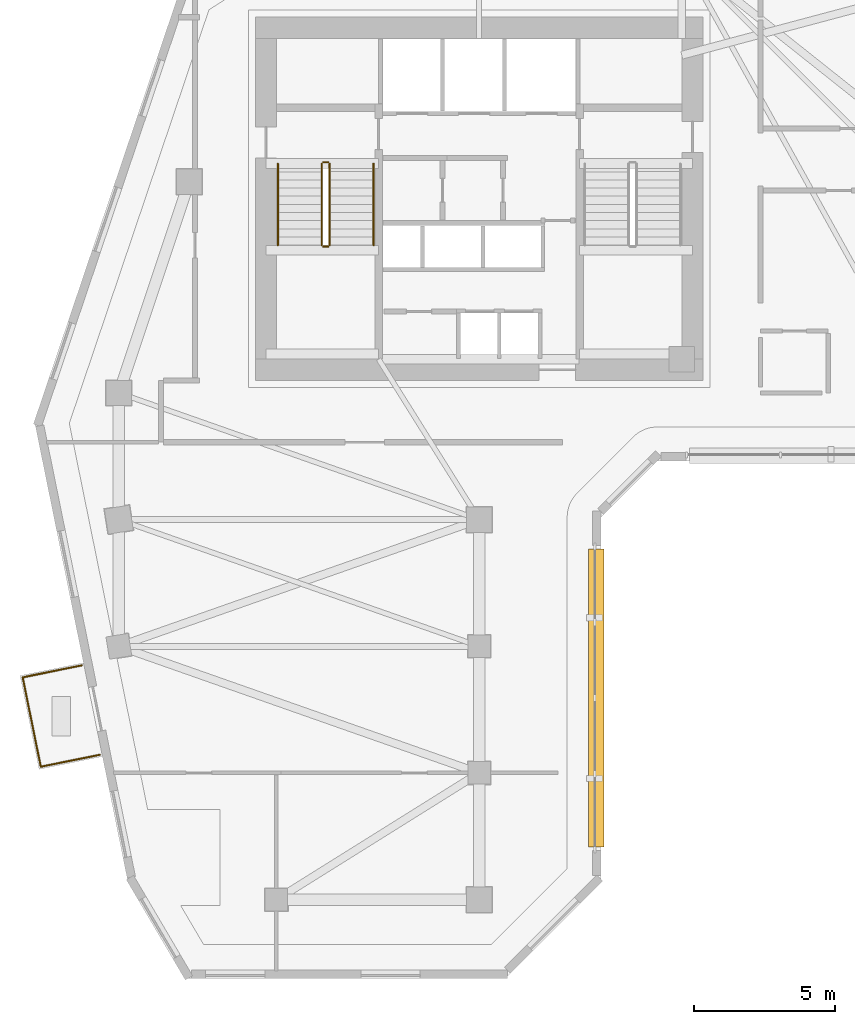
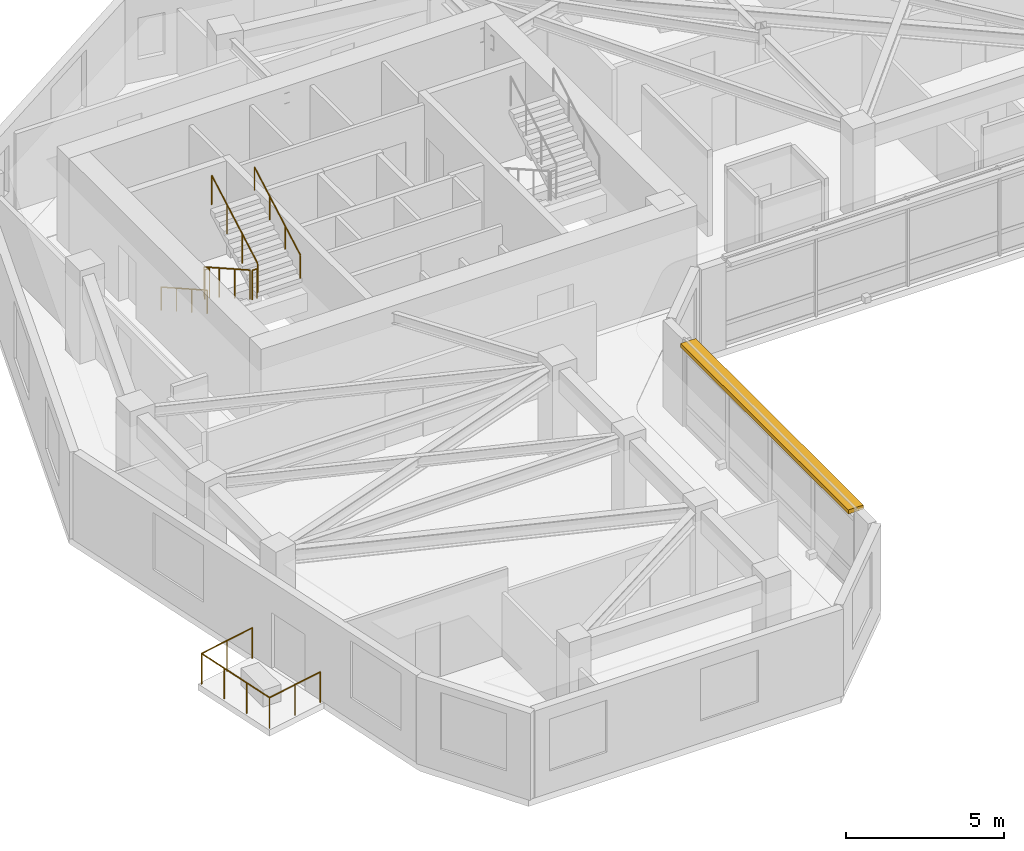
# One storey, part 9 of 11: 9 railings, 1 shading device.
"""IFC4 building model written with IfcOpenShell, lengths in metres."""

from ifc_helpers import new_model, si_unit, direction, frame, frame_2d, origin, origin_2d, place, context, subcontext, project, spatial, rectangle, circle, extrude, material, type_object, element, save


model = new_model("IFC4")

# Units and contexts
model_context = context("Model", 3, precision=1e-05, world=origin(), true_north=direction((0.0, 1.0)))
body_context = subcontext(model_context, "Body", "Model", "MODEL_VIEW")
ifc_project = project(units=[si_unit("LENGTHUNIT", "METRE"), si_unit("AREAUNIT", "SQUARE_METRE"), si_unit("VOLUMEUNIT", "CUBIC_METRE"), si_unit("PLANEANGLEUNIT", "RADIAN"), si_unit("MASSUNIT", "GRAM", prefix="KILO")], contexts=[model_context])

# Site, building, storey
site_placement = place(None, origin())
site = spatial("IfcSite", under=ifc_project, at=site_placement, CompositionType="ELEMENT")
building_placement = place(site_placement, origin())
building = spatial("IfcBuilding", under=site, at=building_placement, Name="Calvemar Wedge Station Tower", CompositionType="ELEMENT")
storey_placement = place(building_placement, frame((0.0, 0.0, 157.39990234375)))
storey = spatial("IfcBuildingStorey", under=building, at=storey_placement, Name="L39", CompositionType="ELEMENT", Elevation=157.39990234375)

# Railings
ifc_material_1 = material(Name="Stainless steel AISI 316L", Category="steel")
railing_type_1 = type_object("IfcRailingType", Name="GRD-TERR-1200", PredefinedType="GUARDRAIL", material=ifc_material_1)
railing_1_placement = place(storey_placement, frame((10.32373046875, 20.146484375, 0.0)))
element("IfcRailing", 1, at=railing_1_placement, inside=storey, type_object=railing_type_1, Name="Storey L39 Spiral Terrace Guard 2", PredefinedType="GUARDRAIL", context=body_context, shape_type="SweptSolid", body=[
    extrude(circle(Radius=0.02392578125, at=origin_2d()), frame((0.0, 0.0, 1.17578125), z_axis=(-0.980050562367, -0.198748321262, 0.0), x_axis=(0.198748321262, -0.980050562367, 0.0)), (0.0, 0.0, 1.0), 2.139892578125),
    extrude(circle(Radius=0.02099609375, at=origin_2d()), origin(), (0.0, 0.0, 1.0), 1.15185546875),
    extrude(circle(Radius=0.02099609375, at=origin_2d()), frame((-1.048583984375, -0.212646484375, 0.0)), (0.0, 0.0, 1.0), 1.15185546875),
    extrude(circle(Radius=0.02099609375, at=origin_2d()), frame((-2.09716796875, -0.42529296875, 0.0)), (0.0, 0.0, 1.0), 1.15185546875),
])
railing_2_placement = place(storey_placement, frame((8.2265625, 19.72119140625, 0.0)))
element("IfcRailing", 2, at=railing_2_placement, inside=storey, type_object=railing_type_1, Name="Storey L39 Spiral Terrace Guard 3", PredefinedType="GUARDRAIL", context=body_context, shape_type="SweptSolid", body=[
    extrude(circle(Radius=0.02392578125, at=origin_2d()), frame((0.0, 0.0, 1.17578125), z_axis=(-0.198854128346, 0.980029099384, 0.0), x_axis=(-0.980029099384, -0.198854128346, 0.0)), (0.0, 0.0, 1.0), 3.239990234375),
    extrude(circle(Radius=0.02099609375, at=origin_2d()), origin(), (0.0, 0.0, 1.0), 1.15185546875),
    extrude(circle(Radius=0.02099609375, at=origin_2d()), frame((-0.21484375, 1.058349609375, 0.0)), (0.0, 0.0, 1.0), 1.15185546875),
    extrude(circle(Radius=0.02099609375, at=origin_2d()), frame((-0.429443359375, 2.116943359375, 0.0)), (0.0, 0.0, 1.0), 1.15185546875),
    extrude(circle(Radius=0.02099609375, at=origin_2d()), frame((-0.644287109375, 3.17529296875, 0.0)), (0.0, 0.0, 1.0), 1.15185546875),
])
railing_3_placement = place(storey_placement, frame((7.582275390625, 22.896484375, 0.0)))
element("IfcRailing", 3, at=railing_3_placement, inside=storey, type_object=railing_type_1, Name="Storey L39 Spiral Terrace Guard 4", PredefinedType="GUARDRAIL", context=body_context, shape_type="SweptSolid", body=[
    extrude(circle(Radius=0.02392578125, at=origin_2d()), frame((0.0, 0.0, 1.17578125), z_axis=(0.980050562367, 0.198748321262, 0.0), x_axis=(-0.198748321262, 0.980050562367, 0.0)), (0.0, 0.0, 1.0), 2.139892578125),
    extrude(circle(Radius=0.02099609375, at=origin_2d()), origin(), (0.0, 0.0, 1.0), 1.15185546875),
    extrude(circle(Radius=0.02099609375, at=origin_2d()), frame((1.048583984375, 0.212646484375, 0.0)), (0.0, 0.0, 1.0), 1.15185546875),
    extrude(circle(Radius=0.02099609375, at=origin_2d()), frame((2.09716796875, 0.42529296875, 0.0)), (0.0, 0.0, 1.0), 1.15185546875),
])
railing_type_2 = type_object("IfcRailingType", Name="RL-HANDRAIL-920", PredefinedType="HANDRAIL", material=ifc_material_1)
railing_4_placement = place(storey_placement, frame((16.64990234375, 41.14990234375, 0.163818359375)))
element("IfcRailing", 4, at=railing_4_placement, inside=storey, type_object=railing_type_2, Name="L39 ST-C1 stair handrail 1", PredefinedType="HANDRAIL", context=body_context, shape_type="SweptSolid", body=[
    extrude(circle(Radius=0.02392578125, at=origin_2d()), frame((0.0, 0.0, 0.89599609375), z_axis=(0.0, -0.870928581787, 0.491409610636), x_axis=(1.0, 0.0, 0.0)), (0.0, 0.0, 1.0), 3.32958984375),
    extrude(circle(Radius=0.02099609375, at=origin_2d()), origin(), (0.0, 0.0, 1.0), 0.871826171875),
    extrude(circle(Radius=0.02099609375, at=origin_2d()), frame((0.0, -0.966552734375, 0.54541015625)), (0.0, 0.0, 1.0), 0.871826171875),
    extrude(circle(Radius=0.02099609375, at=origin_2d()), frame((0.0, -1.933349609375, 1.0908203125)), (0.0, 0.0, 1.0), 0.871826171875),
    extrude(circle(Radius=0.02099609375, at=origin_2d()), frame((0.0, -2.89990234375, 1.63623046875)), (0.0, 0.0, 1.0), 0.871826171875),
])
railing_5_placement = place(storey_placement, frame((20.050048828125, 38.25, 1.963623046875)))
element("IfcRailing", 5, at=railing_5_placement, inside=storey, type_object=railing_type_2, Name="L39 ST-C1 stair handrail 2", PredefinedType="HANDRAIL", context=body_context, shape_type="SweptSolid", body=[
    extrude(circle(Radius=0.02392578125, at=origin_2d()), frame((0.0, 0.0, 0.89599609375), z_axis=(0.0, 0.870897200241, 0.491465224214), x_axis=(-1.0, 0.0, 0.0)), (0.0, 0.0, 1.0), 3.329833984375),
    extrude(circle(Radius=0.02099609375, at=origin_2d()), origin(), (0.0, 0.0, 1.0), 0.871826171875),
    extrude(circle(Radius=0.02099609375, at=origin_2d()), frame((0.0, 0.966552734375, 0.54541015625)), (0.0, 0.0, 1.0), 0.871826171875),
    extrude(circle(Radius=0.02099609375, at=origin_2d()), frame((0.0, 1.933349609375, 1.091064453125)), (0.0, 0.0, 1.0), 0.871826171875),
    extrude(circle(Radius=0.02099609375, at=origin_2d()), frame((0.0, 2.89990234375, 1.636474609375)), (0.0, 0.0, 1.0), 0.871826171875),
])
ifc_material_2 = material(Name="Painted steel guardrail ASTM A500 Grade C", Category="steel")
railing_type_3 = type_object("IfcRailingType", Name="RL-STAIR-GUARD-1150", PredefinedType="GUARDRAIL", material=ifc_material_2)
railing_6_placement = place(storey_placement, frame((18.2099609375, 41.14990234375, 0.163818359375)))
element("IfcRailing", 6, at=railing_6_placement, inside=storey, type_object=railing_type_3, Name="L39 ST-C1 stair guard 1", PredefinedType="GUARDRAIL", context=body_context, shape_type="SweptSolid", body=[
    extrude(circle(Radius=0.02392578125, at=origin_2d()), frame((0.0, 0.0, 1.1259765625), z_axis=(0.0, -0.870928581787, 0.491409610636), x_axis=(1.0, 0.0, 0.0)), (0.0, 0.0, 1.0), 3.32958984375),
    extrude(circle(Radius=0.02099609375, at=origin_2d()), origin(), (0.0, 0.0, 1.0), 1.101806640625),
    extrude(circle(Radius=0.02099609375, at=origin_2d()), frame((0.0, -0.966552734375, 0.54541015625)), (0.0, 0.0, 1.0), 1.101806640625),
    extrude(circle(Radius=0.02099609375, at=origin_2d()), frame((0.0, -1.933349609375, 1.0908203125)), (0.0, 0.0, 1.0), 1.101806640625),
    extrude(circle(Radius=0.02099609375, at=origin_2d()), frame((0.0, -2.89990234375, 1.63623046875)), (0.0, 0.0, 1.0), 1.101806640625),
])
railing_7_placement = place(storey_placement, frame((18.260009765625, 38.199951171875, 1.800048828125)))
element("IfcRailing", 7, at=railing_7_placement, inside=storey, type_object=railing_type_3, Name="L39 ST-C1 stair guard 2", PredefinedType="GUARDRAIL", context=body_context, shape_type="SweptSolid", body=[
    extrude(circle(Radius=0.02392578125, at=origin_2d()), frame((0.0, 0.0, 1.1259765625), z_axis=(1.0, 0.0, 0.0), x_axis=(0.0, 1.0, 0.0)), (0.0, 0.0, 1.0), 0.179931640625),
    extrude(circle(Radius=0.02099609375, at=origin_2d()), origin(), (0.0, 0.0, 1.0), 1.101806640625),
    extrude(circle(Radius=0.02099609375, at=origin_2d()), frame((0.179931640625, 0.0, 0.0)), (0.0, 0.0, 1.0), 1.101806640625),
])
railing_8_placement = place(storey_placement, frame((18.489990234375, 38.25, 1.963623046875)))
element("IfcRailing", 8, at=railing_8_placement, inside=storey, type_object=railing_type_3, Name="L39 ST-C1 stair guard 3", PredefinedType="GUARDRAIL", context=body_context, shape_type="SweptSolid", body=[
    extrude(circle(Radius=0.02392578125, at=origin_2d()), frame((0.0, 0.0, 1.1259765625), z_axis=(0.0, 0.870897200241, 0.491465224214), x_axis=(-1.0, 0.0, 0.0)), (0.0, 0.0, 1.0), 3.329833984375),
    extrude(circle(Radius=0.02099609375, at=origin_2d()), origin(), (0.0, 0.0, 1.0), 1.101806640625),
    extrude(circle(Radius=0.02099609375, at=origin_2d()), frame((0.0, 0.966552734375, 0.54541015625)), (0.0, 0.0, 1.0), 1.101806640625),
    extrude(circle(Radius=0.02099609375, at=origin_2d()), frame((0.0, 1.933349609375, 1.091064453125)), (0.0, 0.0, 1.0), 1.101806640625),
    extrude(circle(Radius=0.02099609375, at=origin_2d()), frame((0.0, 2.89990234375, 1.636474609375)), (0.0, 0.0, 1.0), 1.101806640625),
])
railing_9_placement = place(storey_placement, frame((18.260009765625, 41.199951171875, 0.0)))
element("IfcRailing", 9, at=railing_9_placement, inside=storey, type_object=railing_type_3, Name="L39 ST-C1 stair guard 4", PredefinedType="GUARDRAIL", context=body_context, shape_type="SweptSolid", body=[
    extrude(circle(Radius=0.02392578125, at=origin_2d()), frame((0.0, 0.0, 1.1259765625), z_axis=(1.0, 0.0, 0.0), x_axis=(0.0, 1.0, 0.0)), (0.0, 0.0, 1.0), 0.179931640625),
    extrude(circle(Radius=0.02099609375, at=origin_2d()), origin(), (0.0, 0.0, 1.0), 1.101806640625),
    extrude(circle(Radius=0.02099609375, at=origin_2d()), frame((0.179931640625, 0.0, 0.0)), (0.0, 0.0, 1.0), 1.101806640625),
])

# Shading device
ifc_material_3 = material(Name="Precast concrete C45", Category="concrete")
shading_device_type = type_object("IfcShadingDeviceType", Name="SHD-EYEBROW-1", PredefinedType="SHUTTER", material=ifc_material_3)
shading_device_placement = place(storey_placement, frame((27.9580078125, 16.862060546875, 3.170166015625), z_axis=(0.0, 0.0, 1.0), x_axis=(0.0, 1.0, 0.0)))
element("IfcShadingDevice", 10, at=shading_device_placement, inside=storey, type_object=shading_device_type, Name="Storey L39 Bronze GFRC Solar Eyebrow 4", PredefinedType="SHUTTER", context=body_context, shape_type="SweptSolid", body=[
    extrude(rectangle(XDim=10.592041015625, YDim=0.550048828125, at=frame_2d((5.2958984375, 0.0))), origin(), (0.0, 0.0, 1.0), 0.159912109375),
])

save(model, "model.ifc")
